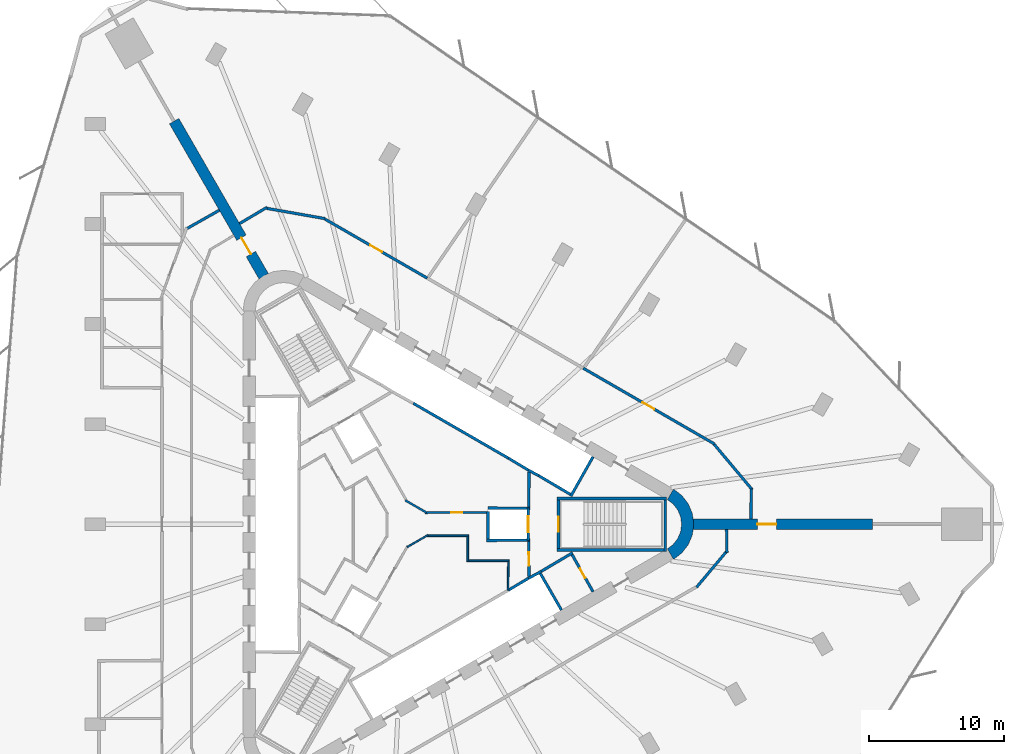
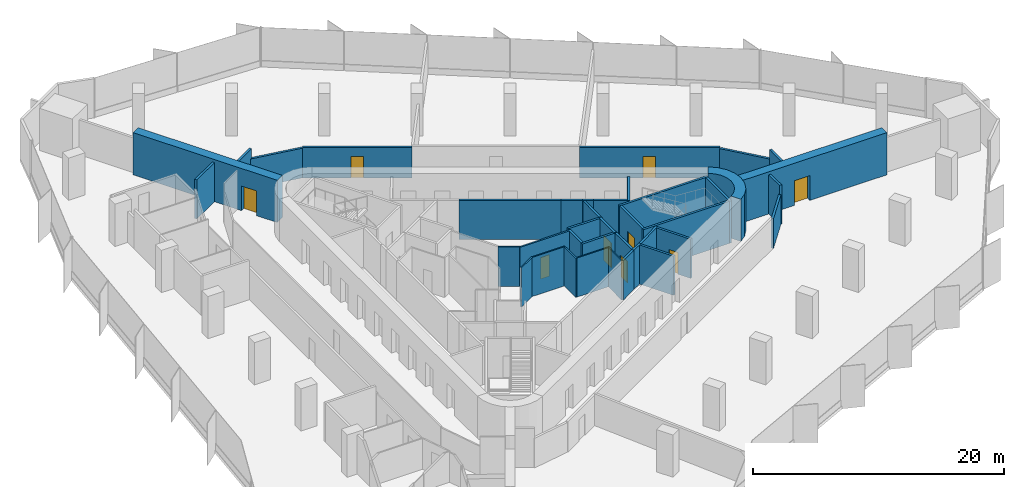
# One storey, part 12 of 15: 39 walls, 9 doors, 9 openings.
"""IFC4 building model written with IfcOpenShell, lengths in metres."""

from ifc_helpers import new_model, si_unit, direction, frame, frame_2d, origin, place, context, subcontext, project, spatial, polyline, rectangle, outline, extrude, material, layer, layer_set, type_object, element, fill, save


model = new_model("IFC4")

# Units and contexts
model_context = context("Model", 3, precision=1e-05, world=origin(), true_north=direction((0.0, 1.0)))
body_context = subcontext(model_context, "Body", "Model", "MODEL_VIEW")
ifc_project = project(units=[si_unit("LENGTHUNIT", "METRE"), si_unit("AREAUNIT", "SQUARE_METRE"), si_unit("VOLUMEUNIT", "CUBIC_METRE"), si_unit("PLANEANGLEUNIT", "RADIAN"), si_unit("MASSUNIT", "GRAM", prefix="KILO")], contexts=[model_context])

# Site, building, storey
site_placement = place(None, origin())
site = spatial("IfcSite", under=ifc_project, at=site_placement, CompositionType="ELEMENT")
building_placement = place(site_placement, origin())
building = spatial("IfcBuilding", under=site, at=building_placement, Name="Tanit Gate Tower", CompositionType="ELEMENT")
storey_placement = place(building_placement, frame((0.0, 0.0, 102.89990234375)))
storey = spatial("IfcBuildingStorey", under=building, at=storey_placement, Name="L21", CompositionType="ELEMENT", Elevation=102.89990234375)

# Wall, opening, door
ifc_material_1 = material(Name="Concrete C60/75", Category="concrete")
ifc_layer_1 = layer(ifc_material_1, 0.800048828125)
ifc_layer_set_1 = layer_set([ifc_layer_1], Name="BUTTRESS FIN 800 C60/75")
wall_type_1 = type_object("IfcWallType", Name="BUTTRESS FIN 800 C60/75", PredefinedType="SHEAR", material=ifc_layer_set_1)
wall_1_placement = place(storey_placement, frame((21.14990234375, 0.0, 0.0), z_axis=(0.0, 0.0, 1.0), x_axis=(1.0, 0.0, 0.0)))
wall_1 = element("IfcWall", 1, at=wall_1_placement, inside=storey, type_object=wall_type_1, Name="BUTTRESS FIN", PredefinedType="SHEAR", context=body_context, shape_type="SweptSolid", body=[
    extrude(rectangle(XDim=13.240966796875, YDim=0.800048828125, at=frame_2d((6.62060546875, 0.0))), origin(), (0.0, 0.0, 1.0), 4.10009765625),
])
opening_1_placement = place(wall_1_placement, frame((4.75, 0.0, 0.0)))
opening_1 = element("IfcOpeningElement", 2, at=opening_1_placement, cuts=wall_1, Name="Opening P14-S04-F-E-1", PredefinedType="OPENING", context=body_context, shape_type="SweptSolid", body=[
    extrude(rectangle(XDim=1.39990234375, YDim=2.39990234375, at=frame_2d((0.699951171875, 1.199951171875))), frame((0.0, 0.41015625, 0.0), z_axis=(0.0, -1.0, 0.0), x_axis=(1.0, 0.0, 0.0)), (0.0, 0.0, 1.0), 0.820068359375),
])
ifc_material_2 = material(Name="Timber door leaf", Category="wood")
door_type_1 = type_object("IfcDoorType", Name="INT-DOOR-FIN-PAIR-1400", OperationType="NOTDEFINED", PredefinedType="NOTDEFINED", material=ifc_material_2)
door_1_placement = place(opening_1_placement, origin())
door_1 = element("IfcDoor", 3, at=door_1_placement, inside=storey, type_object=door_type_1, Name="Door P14-S04-F-E-1", OperationType="DOUBLE_DOOR_SINGLE_SWING", OverallHeight=2.39990234375, OverallWidth=1.39990234375, PredefinedType="NOTDEFINED", context=body_context, shape_type="SweptSolid", body=[
    extrude(rectangle(XDim=1.39990234375, YDim=2.39990234375, at=frame_2d((0.699951171875, 1.199951171875))), frame((0.0, 0.02490234375, 0.0), z_axis=(0.0, -1.0, 0.0), x_axis=(1.0, 0.0, 0.0)), (0.0, 0.0, 1.0), 0.050048828125),
])
fill(opening_1, door_1)

wall_2_placement = place(storey_placement, frame((-10.574951171875, 18.31640625, 0.0), z_axis=(0.0, 0.0, 1.0), x_axis=(-0.500006018292, 0.866021929094, 0.0)))
wall_2 = element("IfcWall", 4, at=wall_2_placement, inside=storey, type_object=wall_type_1, Name="BUTTRESS FIN", PredefinedType="SHEAR", context=body_context, shape_type="SweptSolid", body=[
    extrude(rectangle(XDim=13.240966796875, YDim=0.800048828125, at=frame_2d((6.62060546875, 0.0))), origin(), (0.0, 0.0, 1.0), 4.10009765625),
])
opening_2_placement = place(wall_2_placement, frame((1.89990234375, 0.0, 0.0)))
opening_2 = element("IfcOpeningElement", 5, at=opening_2_placement, cuts=wall_2, Name="Opening P14-S04-F-NW-1", PredefinedType="OPENING", context=body_context, shape_type="SweptSolid", body=[
    extrude(rectangle(XDim=1.39990234375, YDim=2.39990234375, at=frame_2d((0.699951171875, 1.199951171875))), frame((0.0, 0.41015625, 0.0), z_axis=(0.0, -1.0, 0.0), x_axis=(1.0, 0.0, 0.0)), (0.0, 0.0, 1.0), 0.820068359375),
])
door_2_placement = place(opening_2_placement, origin())
door_2 = element("IfcDoor", 6, at=door_2_placement, inside=storey, type_object=door_type_1, Name="Door P14-S04-F-NW-1", OperationType="DOUBLE_DOOR_SINGLE_SWING", OverallHeight=2.39990234375, OverallWidth=1.39990234375, PredefinedType="NOTDEFINED", context=body_context, shape_type="SweptSolid", body=[
    extrude(rectangle(XDim=1.39990234375, YDim=2.39990234375, at=frame_2d((0.699951171875, 1.199951171875))), frame((0.0, 0.02490234375, 0.0), z_axis=(0.0, -1.0, 0.0), x_axis=(1.0, 0.0, 0.0)), (0.0, 0.0, 1.0), 0.050048828125),
])
fill(opening_2, door_2)

# Walls
ifc_material_3 = material(Name="Concrete C60/75", Category="concrete")
ifc_layer_2 = layer(ifc_material_3, 0.89990234375)
ifc_layer_set_2 = layer_set([ifc_layer_2], Name="CORE WALL 900 C60/75")
wall_type_2 = type_object("IfcWallType", Name="CORE WALL 900 C60/75", PredefinedType="SHEAR", material=ifc_layer_set_2)
wall_3_placement = place(storey_placement, origin())
element("IfcWall", 7, at=wall_3_placement, inside=storey, type_object=wall_type_2, Name="CORE WALL CORNER", PredefinedType="SHEAR", context=body_context, shape_type="SweptSolid", body=[
    extrude(outline(polyline([(19.699951171875, -2.59814453125), (20.3212890625, -2.121337890625), (20.798095703125, -1.5), (21.097900390625, -0.776611328125), (21.199951171875, 0.0), (21.097900390625, 0.776611328125), (20.798095703125, 1.5), (20.3212890625, 2.121337890625), (19.699951171875, 2.59814453125), (19.25, 1.818603515625), (19.684814453125, 1.48486328125), (20.018798828125, 1.050048828125), (20.228515625, 0.54345703125), (20.300048828125, 0.0), (20.228515625, -0.54345703125), (20.018798828125, -1.050048828125), (19.684814453125, -1.48486328125), (19.25, -1.818603515625), (19.699951171875, -2.59814453125)])), origin(), (0.0, 0.0, 1.0), 4.10009765625),
])
ifc_material_4 = material(Name="Fire-rated gypsum board partition")
ifc_layer_3 = layer(ifc_material_4, 0.199951171875)
ifc_layer_set_3 = layer_set([ifc_layer_3], Name="INT-WALL-COMPARTMENT")
wall_type_3 = type_object("IfcWallType", Name="INT-WALL-COMPARTMENT", PredefinedType="PARTITIONING", material=ifc_layer_set_3)
wall_4_placement = place(storey_placement, frame((12.244873046875, -2.10888671875, 0.0), z_axis=(0.0, 0.0, 1.0), x_axis=(-0.860414880418, -0.509594185166, 0.0)))
element("IfcWall", 8, at=wall_4_placement, inside=storey, type_object=wall_type_3, Name="Wall Compartment W057", PredefinedType="PARTITIONING", context=body_context, shape_type="SweptSolid", body=[
    extrude(rectangle(XDim=2.7001953125, YDim=0.199951171875, at=frame_2d((1.35009765625, 0.0))), origin(), (0.0, 0.0, 1.0), 3.800048828125),
])

# Wall, opening, door
wall_5_placement = place(storey_placement, frame((13.758056640625, -4.989501953125, 0.0), z_axis=(0.0, 0.0, 1.0), x_axis=(-0.491993409184, 0.87059892334, 0.0)))
wall_5 = element("IfcWall", 9, at=wall_5_placement, inside=storey, type_object=wall_type_3, Name="Wall Compartment W058", PredefinedType="PARTITIONING", context=body_context, shape_type="SweptSolid", body=[
    extrude(rectangle(XDim=3.150146484375, YDim=0.199951171875, at=frame_2d((1.5751953125, 0.0))), origin(), (0.0, 0.0, 1.0), 3.800048828125),
])
opening_3_placement = place(wall_5_placement, frame((1.175048828125, 0.0, 0.0)))
opening_3 = element("IfcOpeningElement", 10, at=opening_3_placement, cuts=wall_5, Name="Opening R08-S04-14", PredefinedType="OPENING", context=body_context, shape_type="SweptSolid", body=[
    extrude(rectangle(XDim=0.800048828125, YDim=2.10009765625, at=frame_2d((0.39990234375, 1.050048828125))), frame((0.0, 0.10986328125, 0.0), z_axis=(0.0, -1.0, 0.0), x_axis=(1.0, 0.0, 0.0)), (0.0, 0.0, 1.0), 0.219970703125),
])
ifc_material_5 = material(Name="Timber door leaf", Category="wood")
door_type_2 = type_object("IfcDoorType", Name="INT-DOOR-RISER-800", OperationType="NOTDEFINED", PredefinedType="USERDEFINED", material=ifc_material_5)
door_3_placement = place(opening_3_placement, origin())
door_3 = element("IfcDoor", 11, at=door_3_placement, inside=storey, type_object=door_type_2, Name="Door R08-S04-14", ObjectType="FIRE DOOR", OperationType="SINGLE_SWING_RIGHT", OverallHeight=2.10009765625, OverallWidth=0.800048828125, PredefinedType="USERDEFINED", context=body_context, shape_type="SweptSolid", body=[
    extrude(rectangle(XDim=0.800048828125, YDim=2.10009765625, at=frame_2d((0.39990234375, 1.050048828125))), frame((0.0, 0.02490234375, 0.0), z_axis=(0.0, -1.0, 0.0), x_axis=(1.0, 0.0, 0.0)), (0.0, 0.0, 1.0), 0.050048828125),
])
fill(opening_3, door_3)

# Wall
wall_6_placement = place(storey_placement, frame((9.0009765625, 1.27001953125, 0.0), z_axis=(0.0, 0.0, 1.0), x_axis=(0.010784614026, 0.999941844359, 0.0)))
element("IfcWall", 12, at=wall_6_placement, inside=storey, type_object=wall_type_3, Name="Wall Compartment W059", PredefinedType="PARTITIONING", context=body_context, shape_type="SweptSolid", body=[
    extrude(rectangle(XDim=2.580810546875, YDim=0.199951171875, at=frame_2d((1.29052734375, 0.0))), origin(), (0.0, 0.0, 1.0), 3.800048828125),
])

# Wall, opening, door
wall_7_placement = place(storey_placement, frame((9.02880859375, -3.850830078125, 0.0), z_axis=(0.0, 0.0, 1.0), x_axis=(-0.010783593937, 0.99994185536, 0.0)))
wall_7 = element("IfcWall", 13, at=wall_7_placement, inside=storey, type_object=wall_type_3, Name="Wall Compartment W060", PredefinedType="PARTITIONING", context=body_context, shape_type="SweptSolid", body=[
    extrude(rectangle(XDim=2.5810546875, YDim=0.199951171875, at=frame_2d((1.29052734375, 0.0))), origin(), (0.0, 0.0, 1.0), 3.800048828125),
])
opening_4_placement = place(wall_7_placement, frame((0.79052734375, 0.0, 0.0)))
opening_4 = element("IfcOpeningElement", 14, at=opening_4_placement, cuts=wall_7, Name="Opening F10-S04-02", PredefinedType="OPENING", context=body_context, shape_type="SweptSolid", body=[
    extrude(rectangle(XDim=1.0, YDim=2.10009765625, at=frame_2d((0.5, 1.050048828125))), frame((0.0, 0.10986328125, 0.0), z_axis=(0.0, -1.0, 0.0), x_axis=(1.0, 0.0, 0.0)), (0.0, 0.0, 1.0), 0.219970703125),
])
ifc_material_6 = material(Name="Fire-rated steel door leaf", Category="steel")
door_type_3 = type_object("IfcDoorType", Name="INT-DOOR-FIRE-1000", OperationType="NOTDEFINED", PredefinedType="USERDEFINED", material=ifc_material_6)
door_4_placement = place(opening_4_placement, origin())
door_4 = element("IfcDoor", 15, at=door_4_placement, inside=storey, type_object=door_type_3, Name="Door F10-S04-02", ObjectType="FIRE DOOR", OperationType="SINGLE_SWING_LEFT", OverallHeight=2.10009765625, OverallWidth=1.0, PredefinedType="USERDEFINED", context=body_context, shape_type="SweptSolid", body=[
    extrude(rectangle(XDim=1.0, YDim=2.10009765625, at=frame_2d((0.5, 1.050048828125))), frame((0.0, 0.02490234375, 0.0), z_axis=(0.0, -1.0, 0.0), x_axis=(1.0, 0.0, 0.0)), (0.0, 0.0, 1.0), 0.050048828125),
])
fill(opening_4, door_4)

# Walls
wall_8_placement = place(storey_placement, frame((-13.8564453125, 23.199951171875, 0.0), z_axis=(0.0, 0.0, 1.0), x_axis=(-0.870639942446, -0.491920817426, 0.0)))
element("IfcWall", 16, at=wall_8_placement, inside=storey, type_object=wall_type_3, Name="Wall Compartment W095", PredefinedType="PARTITIONING", context=body_context, shape_type="SweptSolid", body=[
    extrude(rectangle(XDim=2.771240234375, YDim=0.199951171875, at=frame_2d((1.3857421875, 0.0))), origin(), (0.0, 0.0, 1.0), 3.800048828125),
])
wall_9_placement = place(storey_placement, frame((-10.3388671875, 23.4150390625, 0.0), z_axis=(0.0, 0.0, 1.0), x_axis=(-0.860316803263, -0.509759745393, 0.0)))
element("IfcWall", 17, at=wall_9_placement, inside=storey, type_object=wall_type_3, Name="Wall Compartment W103", PredefinedType="PARTITIONING", context=body_context, shape_type="SweptSolid", body=[
    extrude(rectangle(XDim=2.35400390625, YDim=0.199951171875, at=frame_2d((1.177001953125, 0.0))), origin(), (0.0, 0.0, 1.0), 3.800048828125),
])
wall_10_placement = place(storey_placement, frame((-6.042236328125, 22.58056640625, 0.0), z_axis=(0.0, 0.0, 1.0), x_axis=(-0.984805258509, 0.173662324106, 0.0)))
element("IfcWall", 18, at=wall_10_placement, inside=storey, type_object=wall_type_3, Name="Wall Compartment W104", PredefinedType="PARTITIONING", context=body_context, shape_type="SweptSolid", body=[
    extrude(rectangle(XDim=4.415771484375, YDim=0.199951171875, at=frame_2d((2.2080078125, 0.0))), origin(), (0.0, 0.0, 1.0), 2.880126953125),
])

# Wall, opening, door
wall_11_placement = place(storey_placement, frame((22.727294921875, 5.930908203125, 0.0), z_axis=(0.0, 0.0, 1.0), x_axis=(-0.866021821949, 0.50000620387, 0.0)))
wall_11 = element("IfcWall", 19, at=wall_11_placement, inside=storey, type_object=wall_type_3, Name="Wall Compartment W107", PredefinedType="PARTITIONING", context=body_context, shape_type="SweptSolid", body=[
    extrude(rectangle(XDim=11.196533203125, YDim=0.199951171875, at=frame_2d((5.59814453125, 0.0))), origin(), (0.0, 0.0, 1.0), 2.97998046875),
])
opening_5_placement = place(wall_11_placement, frame((5.13623046875, 0.0, 0.0)))
opening_5 = element("IfcOpeningElement", 20, at=opening_5_placement, cuts=wall_11, Name="Opening F10-S04-28", PredefinedType="OPENING", context=body_context, shape_type="SweptSolid", body=[
    extrude(rectangle(XDim=1.0, YDim=2.10009765625, at=frame_2d((0.5, 1.050048828125))), frame((0.0, 0.10986328125, 0.0), z_axis=(0.0, -1.0, 0.0), x_axis=(1.0, 0.0, 0.0)), (0.0, 0.0, 1.0), 0.219970703125),
])
door_5_placement = place(opening_5_placement, origin())
door_5 = element("IfcDoor", 21, at=door_5_placement, inside=storey, type_object=door_type_3, Name="Door F10-S04-28", ObjectType="FIRE DOOR", OperationType="SINGLE_SWING_LEFT", OverallHeight=2.10009765625, OverallWidth=1.0, PredefinedType="USERDEFINED", context=body_context, shape_type="SweptSolid", body=[
    extrude(rectangle(XDim=1.0, YDim=2.10009765625, at=frame_2d((0.5, 1.050048828125))), frame((0.0, 0.02490234375, 0.0), z_axis=(0.0, -1.0, 0.0), x_axis=(1.0, 0.0, 0.0)), (0.0, 0.0, 1.0), 0.050048828125),
])
fill(opening_5, door_5)

wall_12_placement = place(storey_placement, frame((1.506103515625, 18.18310546875, 0.0), z_axis=(0.0, 0.0, 1.0), x_axis=(-0.866028170149, 0.499995208485, 0.0)))
wall_12 = element("IfcWall", 22, at=wall_12_placement, inside=storey, type_object=wall_type_3, Name="Wall Compartment W105", PredefinedType="PARTITIONING", context=body_context, shape_type="SweptSolid", body=[
    extrude(rectangle(XDim=8.7294921875, YDim=0.199951171875, at=frame_2d((4.36474609375, 0.0))), origin(), (0.0, 0.0, 1.0), 2.97998046875),
])
opening_6_placement = place(wall_12_placement, frame((3.86474609375, 0.0, 0.0)))
opening_6 = element("IfcOpeningElement", 23, at=opening_6_placement, cuts=wall_12, Name="Opening F10-S04-26", PredefinedType="OPENING", context=body_context, shape_type="SweptSolid", body=[
    extrude(rectangle(XDim=1.0, YDim=2.10009765625, at=frame_2d((0.5, 1.050048828125))), frame((0.0, 0.10986328125, 0.0), z_axis=(0.0, -1.0, 0.0), x_axis=(1.0, 0.0, 0.0)), (0.0, 0.0, 1.0), 0.219970703125),
])
door_6_placement = place(opening_6_placement, origin())
door_6 = element("IfcDoor", 24, at=door_6_placement, inside=storey, type_object=door_type_3, Name="Door F10-S04-26", ObjectType="FIRE DOOR", OperationType="SINGLE_SWING_RIGHT", OverallHeight=2.10009765625, OverallWidth=1.0, PredefinedType="USERDEFINED", context=body_context, shape_type="SweptSolid", body=[
    extrude(rectangle(XDim=1.0, YDim=2.10009765625, at=frame_2d((0.5, 1.050048828125))), frame((0.0, 0.02490234375, 0.0), z_axis=(0.0, -1.0, 0.0), x_axis=(1.0, 0.0, 0.0)), (0.0, 0.0, 1.0), 0.050048828125),
])
fill(opening_6, door_6)

# Walls
wall_13_placement = place(storey_placement, frame((25.52099609375, 2.548095703125, 0.0), z_axis=(0.0, 0.0, 1.0), x_axis=(-0.642784253626, 0.766047259176, 0.0)))
element("IfcWall", 25, at=wall_13_placement, inside=storey, type_object=wall_type_3, Name="Wall Compartment W108", PredefinedType="PARTITIONING", context=body_context, shape_type="SweptSolid", body=[
    extrude(rectangle(XDim=4.381103515625, YDim=0.199951171875, at=frame_2d((2.1904296875, 0.0))), origin(), (0.0, 0.0, 1.0), 2.880126953125),
])
wall_14_placement = place(storey_placement, frame((25.420654296875, 0.39990234375, 0.0), z_axis=(0.0, 0.0, 1.0), x_axis=(0.011376843137, 0.999935281626, 0.0)))
element("IfcWall", 26, at=wall_14_placement, inside=storey, type_object=wall_type_3, Name="Wall Compartment W109", PredefinedType="PARTITIONING", context=body_context, shape_type="SweptSolid", body=[
    extrude(rectangle(XDim=2.18896484375, YDim=0.199951171875, at=frame_2d((1.094482421875, 0.0))), origin(), (0.0, 0.0, 1.0), 3.800048828125),
])
wall_15_placement = place(storey_placement, frame((23.64794921875, -2.097900390625, 0.0), z_axis=(0.0, 0.0, 1.0), x_axis=(-0.015095332307, 0.99988605898, 0.0)))
element("IfcWall", 27, at=wall_15_placement, inside=storey, type_object=wall_type_3, Name="Wall Compartment W110", PredefinedType="PARTITIONING", context=body_context, shape_type="SweptSolid", body=[
    extrude(rectangle(XDim=1.6982421875, YDim=0.199951171875, at=frame_2d((0.84912109375, 0.0))), origin(), (0.0, 0.0, 1.0), 3.800048828125),
])
wall_16_placement = place(storey_placement, frame((21.4013671875, -4.657470703125, 0.0), z_axis=(0.0, 0.0, 1.0), x_axis=(0.642796210095, 0.766037226437, 0.0)))
element("IfcWall", 28, at=wall_16_placement, inside=storey, type_object=wall_type_3, Name="Wall Compartment W111", PredefinedType="PARTITIONING", context=body_context, shape_type="SweptSolid", body=[
    extrude(rectangle(XDim=3.44287109375, YDim=0.199951171875, at=frame_2d((1.721435546875, 0.0))), origin(), (0.0, 0.0, 1.0), 2.880126953125),
])
ifc_material_7 = material(Name="Gypsum board partition")
ifc_layer_4 = layer(ifc_material_7, 0.1201171875)
ifc_layer_set_4 = layer_set([ifc_layer_4], Name="INT-WALL-PARTITION")
wall_type_4 = type_object("IfcWallType", Name="INT-WALL-PARTITION", PredefinedType="PARTITIONING", material=ifc_layer_set_4)
wall_17_placement = place(storey_placement, frame((1.562255859375, -0.798095703125, 0.0), z_axis=(0.0, 0.0, 1.0), x_axis=(-0.86601248742, -0.500022371132, 0.0)))
element("IfcWall", 29, at=wall_17_placement, inside=storey, type_object=wall_type_4, Name="Wall Partition W069", PredefinedType="PARTITIONING", context=body_context, shape_type="SweptSolid", body=[
    extrude(rectangle(XDim=1.78515625, YDim=0.1201171875, at=frame_2d((0.892578125, 0.0))), origin(), (0.0, 0.0, 1.0), 3.800048828125),
])
wall_18_placement = place(storey_placement, frame((4.56005859375, -0.85009765625, 0.0), z_axis=(0.0, 0.0, 1.0), x_axis=(-1.0, 0.0, 0.0)))
element("IfcWall", 30, at=wall_18_placement, inside=storey, type_object=wall_type_4, Name="Wall Partition W070", PredefinedType="PARTITIONING", context=body_context, shape_type="SweptSolid", body=[
    extrude(rectangle(XDim=3.0693359375, YDim=0.1201171875, at=frame_2d((1.53466796875, 0.0))), origin(), (0.0, 0.0, 1.0), 3.800048828125),
])
wall_19_placement = place(storey_placement, frame((4.5, -2.760009765625, 0.0), z_axis=(0.0, 0.0, 1.0), x_axis=(0.0, 1.0, 0.0)))
element("IfcWall", 31, at=wall_19_placement, inside=storey, type_object=wall_type_4, Name="Wall Partition W071", PredefinedType="PARTITIONING", context=body_context, shape_type="SweptSolid", body=[
    extrude(rectangle(XDim=1.85009765625, YDim=0.1201171875, at=frame_2d((0.925048828125, 0.0))), origin(), (0.0, 0.0, 1.0), 3.800048828125),
])
wall_20_placement = place(storey_placement, frame((7.56005859375, -2.699951171875, 0.0), z_axis=(0.0, 0.0, 1.0), x_axis=(-1.0, 0.0, 0.0)))
element("IfcWall", 32, at=wall_20_placement, inside=storey, type_object=wall_type_4, Name="Wall Partition W072", PredefinedType="PARTITIONING", context=body_context, shape_type="SweptSolid", body=[
    extrude(rectangle(XDim=3.0, YDim=0.1201171875, at=frame_2d((1.5, 0.0))), origin(), (0.0, 0.0, 1.0), 3.800048828125),
])
wall_21_placement = place(storey_placement, frame((7.474609375, -4.864501953125, 0.0), z_axis=(0.0, 0.0, 1.0), x_axis=(0.011716133148, 0.999931363757, 0.0)))
element("IfcWall", 33, at=wall_21_placement, inside=storey, type_object=wall_type_4, Name="Wall Partition W073", PredefinedType="PARTITIONING", context=body_context, shape_type="SweptSolid", body=[
    extrude(rectangle(XDim=2.104736328125, YDim=0.1201171875, at=frame_2d((1.05224609375, 0.0))), origin(), (0.0, 0.0, 1.0), 3.800048828125),
])

# Wall, opening, door
ifc_material_8 = material(Name="Fire-rated gypsum board partition")
ifc_layer_5 = layer(ifc_material_8, 0.14990234375)
ifc_layer_set_5 = layer_set([ifc_layer_5], Name="INT-WALL-RISER")
wall_type_5 = type_object("IfcWallType", Name="INT-WALL-RISER", PredefinedType="PLUMBINGWALL", material=ifc_layer_set_5)
wall_22_placement = place(storey_placement, frame((1.34423828125, 0.84912109375, 0.0), z_axis=(0.0, 0.0, 1.0), x_axis=(0.999978627641, 0.00653790957, 0.0)))
wall_22 = element("IfcWall", 34, at=wall_22_placement, inside=storey, type_object=wall_type_5, Name="Wall Riser W065", PredefinedType="PLUMBINGWALL", context=body_context, shape_type="SweptSolid", body=[
    extrude(rectangle(XDim=4.5556640625, YDim=0.14990234375, at=frame_2d((2.27783203125, 0.0))), origin(), (0.0, 0.0, 1.0), 3.800048828125),
])
opening_7_placement = place(wall_22_placement, frame((1.94189453125, 0.0, 0.0)))
opening_7 = element("IfcOpeningElement", 35, at=opening_7_placement, cuts=wall_22, Name="Opening R08-S04-10", PredefinedType="OPENING", context=body_context, shape_type="SweptSolid", body=[
    extrude(rectangle(XDim=0.800048828125, YDim=2.10009765625, at=frame_2d((0.39990234375, 1.050048828125))), frame((0.0, 0.0849609375, 0.0), z_axis=(0.0, -1.0, 0.0), x_axis=(1.0, 0.0, 0.0)), (0.0, 0.0, 1.0), 0.169921875),
])
door_7_placement = place(opening_7_placement, origin())
door_7 = element("IfcDoor", 36, at=door_7_placement, inside=storey, type_object=door_type_2, Name="Door R08-S04-10", ObjectType="FIRE DOOR", OperationType="SINGLE_SWING_LEFT", OverallHeight=2.10009765625, OverallWidth=0.800048828125, PredefinedType="USERDEFINED", context=body_context, shape_type="SweptSolid", body=[
    extrude(rectangle(XDim=0.800048828125, YDim=2.10009765625, at=frame_2d((0.39990234375, 1.050048828125))), frame((0.0, 0.02490234375, 0.0), z_axis=(0.0, -1.0, 0.0), x_axis=(1.0, 0.0, 0.0)), (0.0, 0.0, 1.0), 0.050048828125),
])
fill(opening_7, door_7)

# Walls
wall_23_placement = place(storey_placement, frame((-0.11083984375, 1.763916015625, 0.0), z_axis=(0.0, 0.0, 1.0), x_axis=(0.866061671171, -0.499937177781, 0.0)))
element("IfcWall", 37, at=wall_23_placement, inside=storey, type_object=wall_type_5, Name="Wall Riser W066", PredefinedType="PLUMBINGWALL", context=body_context, shape_type="SweptSolid", body=[
    extrude(rectangle(XDim=1.804443359375, YDim=0.14990234375, at=frame_2d((0.90234375, 0.0))), origin(), (0.0, 0.0, 1.0), 3.800048828125),
])
ifc_material_9 = material(Name="Gypsum shaft wall system")
ifc_layer_6 = layer(ifc_material_9, 0.199951171875)
ifc_layer_set_6 = layer_set([ifc_layer_6], Name="INT-WALL-SHAFT")
wall_type_6 = type_object("IfcWallType", Name="INT-WALL-SHAFT", PredefinedType="PLUMBINGWALL", material=ifc_layer_set_6)
wall_24_placement = place(storey_placement, frame((7.497314453125, 4.885986328125, 0.0), z_axis=(0.0, 0.0, 1.0), x_axis=(-0.866030989016, 0.499990325971, 0.0)))
element("IfcWall", 38, at=wall_24_placement, inside=storey, type_object=wall_type_6, Name="Wall Shaft W003", PredefinedType="PLUMBINGWALL", context=body_context, shape_type="SweptSolid", body=[
    extrude(rectangle(XDim=8.099853515625, YDim=0.199951171875, at=frame_2d((4.0498046875, 0.0))), origin(), (0.0, 0.0, 1.0), 3.800048828125),
])
wall_25_placement = place(storey_placement, frame((12.10986328125, 2.07275390625, 0.0), z_axis=(0.0, 0.0, 1.0), x_axis=(0.49196600604, 0.870614408852, 0.0)))
element("IfcWall", 39, at=wall_25_placement, inside=storey, type_object=wall_type_6, Name="Wall Shaft W013", PredefinedType="PLUMBINGWALL", context=body_context, shape_type="SweptSolid", body=[
    extrude(rectangle(XDim=3.35009765625, YDim=0.199951171875, at=frame_2d((1.675048828125, 0.0))), origin(), (0.0, 0.0, 1.0), 3.800048828125),
])
wall_26_placement = place(storey_placement, frame((12.072998046875, 2.2109375, 0.0), z_axis=(0.0, 0.0, 1.0), x_axis=(-0.860438357912, 0.509554542943, 0.0)))
element("IfcWall", 40, at=wall_26_placement, inside=storey, type_object=wall_type_6, Name="Wall Shaft W014", PredefinedType="PLUMBINGWALL", context=body_context, shape_type="SweptSolid", body=[
    extrude(rectangle(XDim=2.700439453125, YDim=0.199951171875, at=frame_2d((1.35009765625, 0.0))), origin(), (0.0, 0.0, 1.0), 3.800048828125),
])
wall_27_placement = place(storey_placement, frame((9.74755859375, 3.583251953125, 0.0), z_axis=(0.0, 0.0, 1.0), x_axis=(-0.880917147855, 0.473270513147, 0.0)))
element("IfcWall", 41, at=wall_27_placement, inside=storey, type_object=wall_type_6, Name="Wall Shaft W015", PredefinedType="PLUMBINGWALL", context=body_context, shape_type="SweptSolid", body=[
    extrude(rectangle(XDim=0.8779296875, YDim=0.199951171875, at=frame_2d((0.43896484375, 0.0))), origin(), (0.0, 0.0, 1.0), 3.800048828125),
])
wall_28_placement = place(storey_placement, frame((9.0791015625, 3.93701171875, 0.0), z_axis=(0.0, 0.0, 1.0), x_axis=(-0.857516281273, 0.51445682749, 0.0)))
element("IfcWall", 42, at=wall_28_placement, inside=storey, type_object=wall_type_6, Name="Wall Shaft W016", PredefinedType="PLUMBINGWALL", context=body_context, shape_type="SweptSolid", body=[
    extrude(rectangle(XDim=1.8447265625, YDim=0.199951171875, at=frame_2d((0.92236328125, 0.0))), origin(), (0.0, 0.0, 1.0), 3.800048828125),
])
wall_29_placement = place(storey_placement, frame((9.794677734375, -3.52490234375, 0.0), z_axis=(0.0, 0.0, 1.0), x_axis=(0.499984717929, -0.866034226713, 0.0)))
element("IfcWall", 43, at=wall_29_placement, inside=storey, type_object=wall_type_6, Name="Wall Shaft W024", PredefinedType="PLUMBINGWALL", context=body_context, shape_type="SweptSolid", body=[
    extrude(rectangle(XDim=3.25, YDim=0.199951171875, at=frame_2d((1.625, 0.0))), origin(), (0.0, 0.0, 1.0), 3.800048828125),
])
wall_30_placement = place(storey_placement, frame((8.97412109375, -3.998779296875, 0.0), z_axis=(0.0, 0.0, 1.0), x_axis=(0.880907015104, 0.473289373154, 0.0)))
element("IfcWall", 44, at=wall_30_placement, inside=storey, type_object=wall_type_6, Name="Wall Shaft W025", PredefinedType="PLUMBINGWALL", context=body_context, shape_type="SweptSolid", body=[
    extrude(rectangle(XDim=1.078125, YDim=0.199951171875, at=frame_2d((0.5390625, 0.0))), origin(), (0.0, 0.0, 1.0), 3.800048828125),
])
wall_31_placement = place(storey_placement, frame((7.4931640625, -4.87841796875, 0.0), z_axis=(0.0, 0.0, 1.0), x_axis=(0.859981807212, 0.510324691999, 0.0)))
element("IfcWall", 45, at=wall_31_placement, inside=storey, type_object=wall_type_6, Name="Wall Shaft W026", PredefinedType="PLUMBINGWALL", context=body_context, shape_type="SweptSolid", body=[
    extrude(rectangle(XDim=1.8447265625, YDim=0.199951171875, at=frame_2d((0.92236328125, 0.0))), origin(), (0.0, 0.0, 1.0), 3.800048828125),
])

# Wall, opening, door
wall_32_placement = place(storey_placement, frame((8.969970703125, 1.199951171875, 0.0), z_axis=(0.0, 0.0, 1.0), x_axis=(0.0, -1.0, 0.0)))
wall_32 = element("IfcWall", 46, at=wall_32_placement, inside=storey, type_object=wall_type_6, Name="Wall Shaft W037", PredefinedType="PLUMBINGWALL", context=body_context, shape_type="SweptSolid", body=[
    extrude(rectangle(XDim=2.39990234375, YDim=0.199951171875, at=frame_2d((1.199951171875, 0.0))), origin(), (0.0, 0.0, 1.0), 3.800048828125),
])
opening_8_placement = place(wall_32_placement, frame((0.60009765625, 0.0, 0.0)))
opening_8 = element("IfcOpeningElement", 47, at=opening_8_placement, cuts=wall_32, Name="Opening LDFL1-L21", PredefinedType="OPENING", context=body_context, shape_type="SweptSolid", body=[
    extrude(rectangle(XDim=1.199951171875, YDim=2.39990234375, at=frame_2d((0.60009765625, 1.199951171875))), frame((0.0, 0.10986328125, 0.0), z_axis=(0.0, -1.0, 0.0), x_axis=(1.0, 0.0, 0.0)), (0.0, 0.0, 1.0), 0.219970703125),
])
ifc_material_10 = material(Name="Stainless steel sliding door leaf", Category="steel")
door_type_4 = type_object("IfcDoorType", Name="INT-DOOR-LANDING-1200", OperationType="NOTDEFINED", PredefinedType="USERDEFINED", material=ifc_material_10)
door_8_placement = place(opening_8_placement, origin())
door_8 = element("IfcDoor", 48, at=door_8_placement, inside=storey, type_object=door_type_4, Name="Door LDFL1-L21", ObjectType="LANDING DOOR", OperationType="SLIDING_TO_LEFT", OverallHeight=2.39990234375, OverallWidth=1.199951171875, PredefinedType="USERDEFINED", context=body_context, shape_type="SweptSolid", body=[
    extrude(rectangle(XDim=1.199951171875, YDim=2.39990234375, at=frame_2d((0.60009765625, 1.199951171875))), frame((0.0, 0.02490234375, 0.0), z_axis=(0.0, -1.0, 0.0), x_axis=(1.0, 0.0, 0.0)), (0.0, 0.0, 1.0), 0.050048828125),
])
fill(opening_8, door_8)

# Walls
wall_33_placement = place(storey_placement, frame((6.0, 1.199951171875, 0.0), z_axis=(0.0, 0.0, 1.0), x_axis=(0.999949988, -0.010001074852, 0.0)))
element("IfcWall", 49, at=wall_33_placement, inside=storey, type_object=wall_type_6, Name="Wall Shaft W038", PredefinedType="PLUMBINGWALL", context=body_context, shape_type="SweptSolid", body=[
    extrude(rectangle(XDim=3.100341796875, YDim=0.199951171875, at=frame_2d((1.55029296875, 0.0))), origin(), (0.0, 0.0, 1.0), 3.800048828125),
])
wall_34_placement = place(storey_placement, frame((5.89990234375, -1.200927734375, 0.0), z_axis=(0.0, 0.0, 1.0), x_axis=(0.999950064753, 0.009993397809, 0.0)))
element("IfcWall", 50, at=wall_34_placement, inside=storey, type_object=wall_type_6, Name="Wall Shaft W039", PredefinedType="PLUMBINGWALL", context=body_context, shape_type="SweptSolid", body=[
    extrude(rectangle(XDim=3.200439453125, YDim=0.199951171875, at=frame_2d((1.60009765625, 0.0))), origin(), (0.0, 0.0, 1.0), 3.800048828125),
])
wall_35_placement = place(storey_placement, frame((6.0, -1.10009765625, 0.0), z_axis=(0.0, 0.0, 1.0), x_axis=(0.0, 1.0, 0.0)))
element("IfcWall", 51, at=wall_35_placement, inside=storey, type_object=wall_type_6, Name="Wall Shaft W040", PredefinedType="PLUMBINGWALL", context=body_context, shape_type="SweptSolid", body=[
    extrude(rectangle(XDim=2.0546875, YDim=0.199951171875, at=frame_2d((1.02734375, 0.0))), origin(), (0.0, 0.0, 1.0), 3.800048828125),
])
ifc_material_11 = material(Name="Concrete C40/50", Category="concrete")
ifc_layer_7 = layer(ifc_material_11, 0.199951171875)
ifc_layer_set_7 = layer_set([ifc_layer_7], Name="INT-WALL-STAIR")
wall_type_7 = type_object("IfcWallType", Name="INT-WALL-STAIR", PredefinedType="SHEAR", material=ifc_layer_set_7)
wall_36_placement = place(storey_placement, frame((19.199951171875, 1.89990234375, -0.2998046875), z_axis=(0.0, 0.0, 1.0), x_axis=(-1.0, 0.0, 0.0)))
element("IfcWall", 52, at=wall_36_placement, inside=storey, type_object=wall_type_7, Name="Wall Stair W033", PredefinedType="SHEAR", context=body_context, shape_type="SweptSolid", body=[
    extrude(rectangle(XDim=8.099853515625, YDim=0.199951171875, at=frame_2d((4.0498046875, 0.0))), origin(), (0.0, 0.0, 1.0), 4.099853515625),
])
wall_37_placement = place(storey_placement, frame((19.10009765625, -2.0, -0.2998046875), z_axis=(0.0, 0.0, 1.0), x_axis=(0.0, 1.0, 0.0)))
element("IfcWall", 53, at=wall_37_placement, inside=storey, type_object=wall_type_7, Name="Wall Stair W034", PredefinedType="SHEAR", context=body_context, shape_type="SweptSolid", body=[
    extrude(rectangle(XDim=3.800048828125, YDim=0.199951171875, at=frame_2d((1.89990234375, 0.0))), origin(), (0.0, 0.0, 1.0), 4.099853515625),
])
wall_38_placement = place(storey_placement, frame((11.10009765625, -1.89990234375, -0.2998046875), z_axis=(0.0, 0.0, 1.0), x_axis=(1.0, 0.0, 0.0)))
element("IfcWall", 54, at=wall_38_placement, inside=storey, type_object=wall_type_7, Name="Wall Stair W035", PredefinedType="SHEAR", context=body_context, shape_type="SweptSolid", body=[
    extrude(rectangle(XDim=7.89990234375, YDim=0.199951171875, at=frame_2d((3.949951171875, 0.0))), origin(), (0.0, 0.0, 1.0), 4.099853515625),
])

# Wall, opening, door
wall_39_placement = place(storey_placement, frame((11.199951171875, -1.800048828125, -0.2998046875), z_axis=(0.0, 0.0, 1.0), x_axis=(0.0, 1.0, 0.0)))
wall_39 = element("IfcWall", 55, at=wall_39_placement, inside=storey, type_object=wall_type_7, Name="Wall Stair W036", PredefinedType="SHEAR", context=body_context, shape_type="SweptSolid", body=[
    extrude(rectangle(XDim=3.60009765625, YDim=0.199951171875, at=frame_2d((1.800048828125, 0.0))), origin(), (0.0, 0.0, 1.0), 4.099853515625),
])
opening_9_placement = place(wall_39_placement, frame((1.25, 0.0, 0.300048828125)))
opening_9 = element("IfcOpeningElement", 56, at=opening_9_placement, cuts=wall_39, Name="Opening S11-S04-01", PredefinedType="OPENING", context=body_context, shape_type="SweptSolid", body=[
    extrude(rectangle(XDim=1.10009765625, YDim=2.10009765625, at=frame_2d((0.550048828125, 1.050048828125))), frame((0.0, 0.10986328125, 0.0), z_axis=(0.0, -1.0, 0.0), x_axis=(1.0, 0.0, 0.0)), (0.0, 0.0, 1.0), 0.219970703125),
])
ifc_material_12 = material(Name="Timber door leaf", Category="wood")
door_type_5 = type_object("IfcDoorType", Name="INT-DOOR-STAIR-1100", OperationType="NOTDEFINED", PredefinedType="USERDEFINED", material=ifc_material_12)
door_9_placement = place(opening_9_placement, origin())
door_9 = element("IfcDoor", 57, at=door_9_placement, inside=storey, type_object=door_type_5, Name="Door S11-S04-01", ObjectType="FIRE DOOR", OperationType="SINGLE_SWING_RIGHT", OverallHeight=2.10009765625, OverallWidth=1.10009765625, PredefinedType="USERDEFINED", context=body_context, shape_type="SweptSolid", body=[
    extrude(rectangle(XDim=1.10009765625, YDim=2.10009765625, at=frame_2d((0.550048828125, 1.050048828125))), frame((0.0, 0.02490234375, 0.0), z_axis=(0.0, -1.0, 0.0), x_axis=(1.0, 0.0, 0.0)), (0.0, 0.0, 1.0), 0.050048828125),
])
fill(opening_9, door_9)

save(model, "model.ifc")
